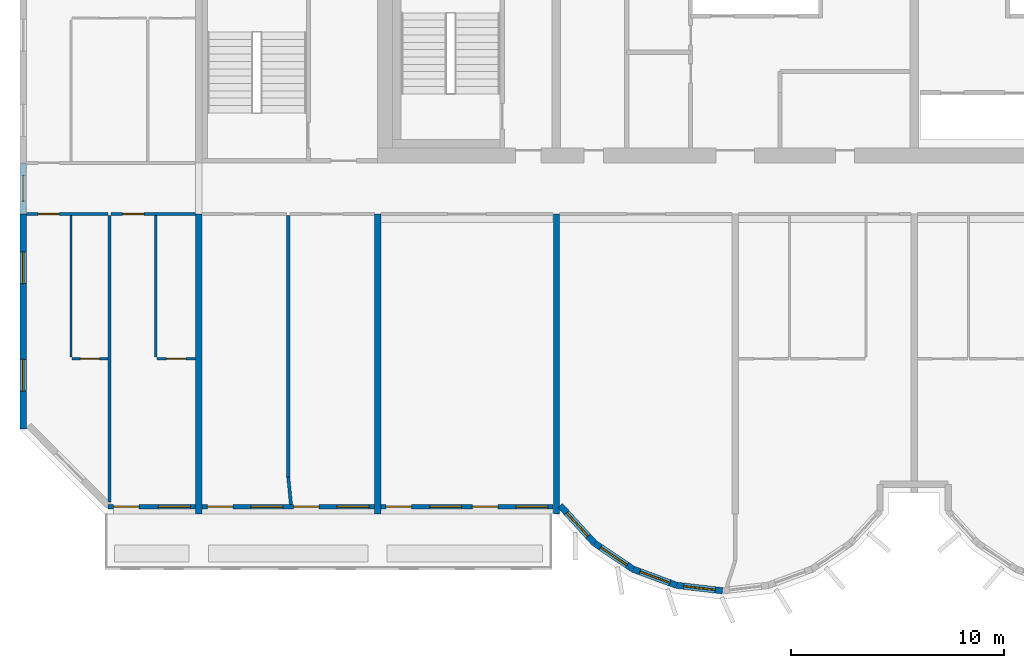
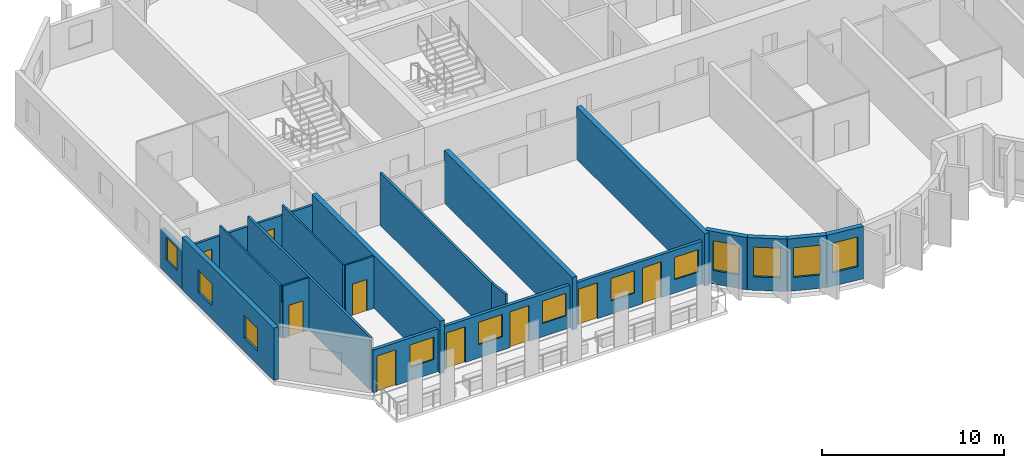
# One storey, part 2 of 13: 21 walls, 12 windows, 9 doors, 21 openings.
"""IFC4 building model written with IfcOpenShell, lengths in metres."""

from ifc_helpers import new_model, si_unit, direction, frame, frame_2d, origin, place, context, subcontext, project, spatial, rectangle, extrude, source, transform, mapped, material, layer, layer_set, type_object, element, fill, save


model = new_model("IFC4")

# Units and contexts
model_context = context("Model", 3, precision=1e-05, world=origin(), true_north=direction((0.0, 1.0)))
body_context = subcontext(model_context, "Body", "Model", "MODEL_VIEW")
ifc_project = project(units=[si_unit("LENGTHUNIT", "METRE"), si_unit("AREAUNIT", "SQUARE_METRE"), si_unit("VOLUMEUNIT", "CUBIC_METRE"), si_unit("PLANEANGLEUNIT", "RADIAN"), si_unit("MASSUNIT", "GRAM", prefix="KILO")], contexts=[model_context])

# Site, building, storey
site_placement = place(None, origin())
site = spatial("IfcSite", under=ifc_project, at=site_placement, CompositionType="ELEMENT")
building_placement = place(site_placement, origin())
building = spatial("IfcBuilding", under=site, at=building_placement, Name="Vanashikhar Sky Hotel", CompositionType="ELEMENT")
storey_placement = place(building_placement, frame((0.0, 0.0, 193.39990234375)))
storey = spatial("IfcBuildingStorey", under=building, at=storey_placement, Name="L47", CompositionType="ELEMENT", Elevation=193.39990234375)

# Wall, openings, windows
ifc_material_1 = material(Name="Concrete M60", Category="concrete")
ifc_layer_1 = layer(ifc_material_1, 0.300048828125)
ifc_layer_set_1 = layer_set([ifc_layer_1], Name="RC shear wall 300 Concrete M60")
wall_type_1 = type_object("IfcWallType", Name="RC shear wall 300 Concrete M60", PredefinedType="SHEAR", material=ifc_layer_set_1)
shared_shape_1 = source(origin(), body_context, "Body", "SweptSolid", [
    extrude(rectangle(XDim=10.10009765625, YDim=0.300048828125, at=frame_2d((5.050048828125, 0.0))), origin(), (0.0, 0.0, 1.0), 3.52001953125),
])
wall_1_placement = place(storey_placement, frame((8.550048828125, 9.5, 0.0), z_axis=(0.0, 0.0, 1.0), x_axis=(0.0, 1.0, 0.0)))
wall_1 = element("IfcWall", 1, at=wall_1_placement, inside=storey, type_object=wall_type_1, Name="CW-L47-XW02-1", PredefinedType="SHEAR", context=body_context, shape_type="MappedRepresentation", body=[
    mapped(shared_shape_1, transform((0.0, 0.0, 0.0), scale=1.0)),
])
shared_shape_2 = source(origin(), body_context, "Body", "SweptSolid", [
    extrude(rectangle(XDim=1.5, YDim=1.5, at=frame_2d((0.75, 0.75))), frame((0.0, 0.16015625, 0.0), z_axis=(0.0, -1.0, 0.0), x_axis=(1.0, 0.0, 0.0)), (0.0, 0.0, 1.0), 0.320068359375),
])
opening_1_placement = place(wall_1_placement, frame((1.77490234375, 0.0, 0.89990234375)))
opening_1 = element("IfcOpeningElement", 2, at=opening_1_placement, cuts=wall_1, Name="Opening WN-1", PredefinedType="OPENING", context=body_context, shape_type="MappedRepresentation", body=[
    mapped(shared_shape_2, transform((0.0, 0.0, 0.0), scale=1.0)),
])
opening_2_placement = place(wall_1_placement, frame((6.824951171875, 0.0, 0.89990234375)))
opening_2 = element("IfcOpeningElement", 3, at=opening_2_placement, cuts=wall_1, Name="Opening WN-1", PredefinedType="OPENING", context=body_context, shape_type="MappedRepresentation", body=[
    mapped(shared_shape_2, transform((0.0, 0.0, 0.0), scale=1.0)),
])
ifc_material_2 = material(Name="Glass", Category="glass")
window_type_1 = type_object("IfcWindowType", Name="Window 1500 x 1500", PartitioningType="SINGLE_PANEL", PredefinedType="WINDOW", material=ifc_material_2)
shared_shape_3 = source(origin(), body_context, "Body", "SweptSolid", [
    extrude(rectangle(XDim=1.5, YDim=1.5, at=frame_2d((0.75, 0.75))), frame((0.0, 0.030029296875, 0.0), z_axis=(0.0, -1.0, 0.0), x_axis=(1.0, 0.0, 0.0)), (0.0, 0.0, 1.0), 0.06005859375),
])
window_1_placement = place(opening_1_placement, origin())
window_1 = element("IfcWindow", 4, at=window_1_placement, inside=storey, type_object=window_type_1, Name="Window WN-1", OverallHeight=1.5, OverallWidth=1.5, PartitioningType="SINGLE_PANEL", PredefinedType="WINDOW", context=body_context, shape_type="MappedRepresentation", body=[
    mapped(shared_shape_3, transform((0.0, 0.0, 0.0), scale=1.0)),
])
fill(opening_1, window_1)
window_2_placement = place(opening_2_placement, origin())
window_2 = element("IfcWindow", 5, at=window_2_placement, inside=storey, type_object=window_type_1, Name="Window WN-1", OverallHeight=1.5, OverallWidth=1.5, PartitioningType="SINGLE_PANEL", PredefinedType="WINDOW", context=body_context, shape_type="MappedRepresentation", body=[
    mapped(shared_shape_3, transform((0.0, 0.0, 0.0), scale=1.0)),
])
fill(opening_2, window_2)

# Walls
shared_shape_4 = source(origin(), body_context, "Body", "SweptSolid", [
    extrude(rectangle(XDim=14.10009765625, YDim=0.300048828125, at=frame_2d((7.050048828125, 0.0))), origin(), (0.0, 0.0, 1.0), 3.52001953125),
])
for number, where, z_axis, x_axis, name in (
    (6, (16.800048828125, 5.5, 0.0), (0.0, 0.0, 1.0), (0.0, 1.0, 0.0), "CW-L47-XW03-1"),
    (7, (25.199951171875, 5.5, 0.0), (0.0, 0.0, 1.0), (0.0, 1.0, 0.0), "CW-L47-XW04-1"),
    (8, (33.60009765625, 5.5, 0.0), (0.0, 0.0, 1.0), (0.0, 1.0, 0.0), "CW-L47-XW05-1"),
):
    element("IfcWall", number, at=place(storey_placement, frame(where, z_axis=z_axis, x_axis=x_axis)), inside=storey, type_object=wall_type_1, Name=name, PredefinedType="SHEAR", context=body_context, shape_type="MappedRepresentation", body=[
        mapped(shared_shape_4, transform((0.0, 0.0, 0.0), scale=1.0)),
    ])

# Wall, opening, window
ifc_material_3 = material(Name="Concrete M50", Category="concrete")
ifc_layer_2 = layer(ifc_material_3, 0.300048828125)
ifc_layer_set_2 = layer_set([ifc_layer_2], Name="Lobe wall 300")
wall_type_2 = type_object("IfcWallType", Name="Lobe wall 300", PredefinedType="SOLIDWALL", material=ifc_layer_set_2)
shared_shape_5 = source(origin(), body_context, "Body", "SweptSolid", [
    extrude(rectangle(XDim=2.398193359375, YDim=0.300048828125, at=frame_2d((1.19921875, 0.0))), origin(), (0.0, 0.0, 1.0), 3.52001953125),
])
wall_2_placement = place(storey_placement, frame((33.776123046875, 5.89990234375, 0.0), z_axis=(0.0, 0.0, 1.0), x_axis=(0.675374189419, -0.737475222815, 0.0)))
wall_2 = element("IfcWall", 9, at=wall_2_placement, inside=storey, type_object=wall_type_2, Name="Lobe wall", PredefinedType="SOLIDWALL", context=body_context, shape_type="MappedRepresentation", body=[
    mapped(shared_shape_5, transform((0.0, 0.0, 0.0), scale=1.0)),
])
shared_shape_6 = source(origin(), body_context, "Body", "SweptSolid", [
    extrude(rectangle(XDim=1.5, YDim=2.0, at=frame_2d((0.75, 1.0))), frame((0.0, 0.16015625, 0.0), z_axis=(0.0, -1.0, 0.0), x_axis=(1.0, 0.0, 0.0)), (0.0, 0.0, 1.0), 0.320068359375),
])
opening_3_placement = place(wall_2_placement, frame((0.44921875, 0.0, 0.89990234375)))
opening_3 = element("IfcOpeningElement", 10, at=opening_3_placement, cuts=wall_2, Name="Opening WN-2", PredefinedType="OPENING", context=body_context, shape_type="MappedRepresentation", body=[
    mapped(shared_shape_6, transform((0.0, 0.0, 0.0), scale=1.0)),
])
window_type_2 = type_object("IfcWindowType", Name="Lobe window 1500 x 2000", PartitioningType="SINGLE_PANEL", PredefinedType="WINDOW", material=ifc_material_2)
shared_shape_7 = source(origin(), body_context, "Body", "SweptSolid", [
    extrude(rectangle(XDim=1.5, YDim=2.0, at=frame_2d((0.75, 1.0))), frame((0.0, 0.030029296875, 0.0), z_axis=(0.0, -1.0, 0.0), x_axis=(1.0, 0.0, 0.0)), (0.0, 0.0, 1.0), 0.06005859375),
])
window_3_placement = place(opening_3_placement, origin())
window_3 = element("IfcWindow", 11, at=window_3_placement, inside=storey, type_object=window_type_2, Name="Window WN-2", OverallHeight=2.0, OverallWidth=1.5, PartitioningType="SINGLE_PANEL", PredefinedType="WINDOW", context=body_context, shape_type="MappedRepresentation", body=[
    mapped(shared_shape_7, transform((0.0, 0.0, 0.0), scale=1.0)),
])
fill(opening_3, window_3)

shared_shape_8 = source(origin(), body_context, "Body", "SweptSolid", [
    extrude(rectangle(XDim=2.17578125, YDim=0.300048828125, at=frame_2d((1.087890625, 0.0))), origin(), (0.0, 0.0, 1.0), 3.52001953125),
])
wall_3_placement = place(storey_placement, frame((35.395751953125, 4.13134765625, 0.0), z_axis=(0.0, 0.0, 1.0), x_axis=(0.829590746428, -0.558371913192, 0.0)))
wall_3 = element("IfcWall", 12, at=wall_3_placement, inside=storey, type_object=wall_type_2, Name="Lobe wall", PredefinedType="SOLIDWALL", context=body_context, shape_type="MappedRepresentation", body=[
    mapped(shared_shape_8, transform((0.0, 0.0, 0.0), scale=1.0)),
])
opening_4_placement = place(wall_3_placement, frame((0.337890625, 0.0, 0.89990234375)))
opening_4 = element("IfcOpeningElement", 13, at=opening_4_placement, cuts=wall_3, Name="Opening WN-2", PredefinedType="OPENING", context=body_context, shape_type="MappedRepresentation", body=[
    mapped(shared_shape_6, transform((0.0, 0.0, 0.0), scale=1.0)),
])
window_4_placement = place(opening_4_placement, origin())
window_4 = element("IfcWindow", 14, at=window_4_placement, inside=storey, type_object=window_type_2, Name="Window WN-2", OverallHeight=2.0, OverallWidth=1.5, PartitioningType="SINGLE_PANEL", PredefinedType="WINDOW", context=body_context, shape_type="MappedRepresentation", body=[
    mapped(shared_shape_7, transform((0.0, 0.0, 0.0), scale=1.0)),
])
fill(opening_4, window_4)

wall_4_placement = place(storey_placement, frame((37.20068359375, 2.91650390625, 0.0), z_axis=(0.0, 0.0, 1.0), x_axis=(0.93754555999, -0.347862505801, 0.0)))
wall_4 = element("IfcWall", 15, at=wall_4_placement, inside=storey, type_object=wall_type_2, Name="Lobe wall", PredefinedType="SOLIDWALL", context=body_context, shape_type="MappedRepresentation", body=[
    mapped(shared_shape_8, transform((0.0, 0.0, 0.0), scale=1.0)),
])
opening_5_placement = place(wall_4_placement, frame((0.337890625, 0.0, 0.89990234375)))
opening_5 = element("IfcOpeningElement", 16, at=opening_5_placement, cuts=wall_4, Name="Opening WN-2", PredefinedType="OPENING", context=body_context, shape_type="MappedRepresentation", body=[
    mapped(shared_shape_6, transform((0.0, 0.0, 0.0), scale=1.0)),
])
window_5_placement = place(opening_5_placement, origin())
window_5 = element("IfcWindow", 17, at=window_5_placement, inside=storey, type_object=window_type_2, Name="Window WN-2", OverallHeight=2.0, OverallWidth=1.5, PartitioningType="SINGLE_PANEL", PredefinedType="WINDOW", context=body_context, shape_type="MappedRepresentation", body=[
    mapped(shared_shape_7, transform((0.0, 0.0, 0.0), scale=1.0)),
])
fill(opening_5, window_5)

shared_shape_9 = source(origin(), body_context, "Body", "SweptSolid", [
    extrude(rectangle(XDim=2.174560546875, YDim=0.300048828125, at=frame_2d((1.08740234375, 0.0))), origin(), (0.0, 0.0, 1.0), 3.52001953125),
])
wall_5_placement = place(storey_placement, frame((39.240478515625, 2.15966796875, 0.0), z_axis=(0.0, 0.0, 1.0), x_axis=(0.993001132889, -0.118104826659, 0.0)))
wall_5 = element("IfcWall", 18, at=wall_5_placement, inside=storey, type_object=wall_type_2, Name="Lobe wall", PredefinedType="SOLIDWALL", context=body_context, shape_type="MappedRepresentation", body=[
    mapped(shared_shape_9, transform((0.0, 0.0, 0.0), scale=1.0)),
])
opening_6_placement = place(wall_5_placement, frame((0.33740234375, 0.0, 0.89990234375)))
opening_6 = element("IfcOpeningElement", 19, at=opening_6_placement, cuts=wall_5, Name="Opening WN-2", PredefinedType="OPENING", context=body_context, shape_type="MappedRepresentation", body=[
    mapped(shared_shape_6, transform((0.0, 0.0, 0.0), scale=1.0)),
])
window_6_placement = place(opening_6_placement, origin())
window_6 = element("IfcWindow", 20, at=window_6_placement, inside=storey, type_object=window_type_2, Name="Window WN-2", OverallHeight=2.0, OverallWidth=1.5, PartitioningType="SINGLE_PANEL", PredefinedType="WINDOW", context=body_context, shape_type="MappedRepresentation", body=[
    mapped(shared_shape_7, transform((0.0, 0.0, 0.0), scale=1.0)),
])
fill(opening_6, window_6)

ifc_layer_3 = layer(ifc_material_3, 0.25)
ifc_layer_set_3 = layer_set([ifc_layer_3], Name="Rear and end board-marked wall 250")
wall_type_3 = type_object("IfcWallType", Name="Rear and end board-marked wall 250", PredefinedType="SOLIDWALL", material=ifc_layer_set_3)
shared_shape_10 = source(origin(), body_context, "Body", "SweptSolid", [
    extrude(rectangle(XDim=2.39990234375, YDim=0.25, at=frame_2d((1.199951171875, 0.0))), origin(), (0.0, 0.0, 1.0), 2.6201171875),
])
wall_6_placement = place(storey_placement, frame((8.550048828125, 19.60009765625, 0.0), z_axis=(0.0, 0.0, 1.0), x_axis=(0.0, 1.0, 0.0)))
wall_6 = element("IfcWall", 21, at=wall_6_placement, inside=storey, type_object=wall_type_3, Name="End corridor infill wall", PredefinedType="SOLIDWALL", context=body_context, shape_type="MappedRepresentation", body=[
    mapped(shared_shape_10, transform((0.0, 0.0, 0.0), scale=1.0)),
])
shared_shape_11 = source(origin(), body_context, "Body", "SweptSolid", [
    extrude(rectangle(XDim=1.199951171875, YDim=1.5, at=frame_2d((0.60009765625, 0.75))), frame((0.0, 0.135009765625, 0.0), z_axis=(0.0, -1.0, 0.0), x_axis=(1.0, 0.0, 0.0)), (0.0, 0.0, 1.0), 0.27001953125),
])
opening_7_placement = place(wall_6_placement, frame((0.60009765625, 0.0, 0.89990234375)))
opening_7 = element("IfcOpeningElement", 22, at=opening_7_placement, cuts=wall_6, Name="Opening WN-3", PredefinedType="OPENING", context=body_context, shape_type="MappedRepresentation", body=[
    mapped(shared_shape_11, transform((0.0, 0.0, 0.0), scale=1.0)),
])
window_type_3 = type_object("IfcWindowType", Name="Corridor end window 1200 x 1500", PartitioningType="SINGLE_PANEL", PredefinedType="WINDOW", material=ifc_material_2)
shared_shape_12 = source(origin(), body_context, "Body", "SweptSolid", [
    extrude(rectangle(XDim=1.199951171875, YDim=1.5, at=frame_2d((0.60009765625, 0.75))), frame((0.0, 0.030029296875, 0.0), z_axis=(0.0, -1.0, 0.0), x_axis=(1.0, 0.0, 0.0)), (0.0, 0.0, 1.0), 0.06005859375),
])
window_7_placement = place(opening_7_placement, origin())
window_7 = element("IfcWindow", 23, at=window_7_placement, inside=storey, type_object=window_type_3, Name="Window WN-3", OverallHeight=1.5, OverallWidth=1.199951171875, PartitioningType="SINGLE_PANEL", PredefinedType="WINDOW", context=body_context, shape_type="MappedRepresentation", body=[
    mapped(shared_shape_12, transform((0.0, 0.0, 0.0), scale=1.0)),
])
fill(opening_7, window_7)

# Wall, openings, window, door
ifc_layer_4 = layer(ifc_material_3, 0.199951171875)
ifc_layer_set_4 = layer_set([ifc_layer_4], Name="Front window wall 200")
wall_type_4 = type_object("IfcWallType", Name="Front window wall 200", PredefinedType="SOLIDWALL", material=ifc_layer_set_4)
shared_shape_13 = source(origin(), body_context, "Body", "SweptSolid", [
    extrude(rectangle(XDim=4.10498046875, YDim=0.199951171875, at=frame_2d((2.052490234375, 0.0))), origin(), (0.0, 0.0, 1.0), 2.8701171875),
])
wall_7_placement = place(storey_placement, frame((12.544921875, 5.85009765625, 0.0), z_axis=(0.0, 0.0, 1.0), x_axis=(1.0, 0.0, 0.0)))
wall_7 = element("IfcWall", 24, at=wall_7_placement, inside=storey, type_object=wall_type_4, Name="Front window wall", PredefinedType="SOLIDWALL", context=body_context, shape_type="MappedRepresentation", body=[
    mapped(shared_shape_13, transform((0.0, 0.0, 0.0), scale=1.0)),
])
shared_shape_14 = source(origin(), body_context, "Body", "SweptSolid", [
    extrude(rectangle(XDim=1.199951171875, YDim=2.39990234375, at=frame_2d((0.60009765625, 1.199951171875))), frame((0.0, 0.10986328125, 0.0), z_axis=(0.0, -1.0, 0.0), x_axis=(1.0, 0.0, 0.0)), (0.0, 0.0, 1.0), 0.219970703125),
])
opening_8_placement = place(wall_7_placement, frame((0.25, 0.0, 0.0)))
opening_8 = element("IfcOpeningElement", 25, at=opening_8_placement, cuts=wall_7, Name="Opening BD-01", PredefinedType="OPENING", context=body_context, shape_type="MappedRepresentation", body=[
    mapped(shared_shape_14, transform((0.0, 0.0, 0.0), scale=1.0)),
])
shared_shape_15 = source(origin(), body_context, "Body", "SweptSolid", [
    extrude(rectangle(XDim=1.5, YDim=1.5, at=frame_2d((0.75, 0.75))), frame((0.0, 0.10986328125, 0.0), z_axis=(0.0, -1.0, 0.0), x_axis=(1.0, 0.0, 0.0)), (0.0, 0.0, 1.0), 0.219970703125),
])
opening_9_placement = place(wall_7_placement, frame((2.35498046875, 0.0, 0.89990234375)))
opening_9 = element("IfcOpeningElement", 26, at=opening_9_placement, cuts=wall_7, Name="Opening WN-1", PredefinedType="OPENING", context=body_context, shape_type="MappedRepresentation", body=[
    mapped(shared_shape_15, transform((0.0, 0.0, 0.0), scale=1.0)),
])
window_8_placement = place(opening_9_placement, origin())
window_8 = element("IfcWindow", 27, at=window_8_placement, inside=storey, type_object=window_type_1, Name="Window WN-1", OverallHeight=1.5, OverallWidth=1.5, PartitioningType="SINGLE_PANEL", PredefinedType="WINDOW", context=body_context, shape_type="MappedRepresentation", body=[
    mapped(shared_shape_3, transform((0.0, 0.0, 0.0), scale=1.0)),
])
fill(opening_9, window_8)
ifc_material_4 = material(Name="Aluminium", Category="aluminium")
door_type_1 = type_object("IfcDoorType", Name="Balcony sliding door 1200 x 2400", OperationType="NOTDEFINED", PredefinedType="DOOR", material=ifc_material_4)
shared_shape_16 = source(origin(), body_context, "Body", "SweptSolid", [
    extrude(rectangle(XDim=1.199951171875, YDim=2.39990234375, at=frame_2d((0.60009765625, 1.199951171875))), frame((0.0, 0.02490234375, 0.0), z_axis=(0.0, -1.0, 0.0), x_axis=(1.0, 0.0, 0.0)), (0.0, 0.0, 1.0), 0.050048828125),
])
door_1_placement = place(opening_8_placement, origin())
door_1 = element("IfcDoor", 28, at=door_1_placement, inside=storey, type_object=door_type_1, Name="Balcony sliding door", OperationType="SLIDING_TO_LEFT", OverallHeight=2.39990234375, OverallWidth=1.199951171875, PredefinedType="DOOR", context=body_context, shape_type="MappedRepresentation", body=[
    mapped(shared_shape_16, transform((0.0, 0.0, 0.0), scale=1.0)),
])
fill(opening_8, door_1)

# Wall, openings, windows, doors
shared_shape_17 = source(origin(), body_context, "Body", "SweptSolid", [
    extrude(rectangle(XDim=8.10009765625, YDim=0.199951171875, at=frame_2d((4.050048828125, 0.0))), origin(), (0.0, 0.0, 1.0), 2.8701171875),
])
wall_8_placement = place(storey_placement, frame((16.949951171875, 5.85009765625, 0.0), z_axis=(0.0, 0.0, 1.0), x_axis=(1.0, 0.0, 0.0)))
wall_8 = element("IfcWall", 29, at=wall_8_placement, inside=storey, type_object=wall_type_4, Name="Front window wall", PredefinedType="SOLIDWALL", context=body_context, shape_type="MappedRepresentation", body=[
    mapped(shared_shape_17, transform((0.0, 0.0, 0.0), scale=1.0)),
])
opening_10_placement = place(wall_8_placement, frame((0.25, 0.0, 0.0)))
opening_10 = element("IfcOpeningElement", 30, at=opening_10_placement, cuts=wall_8, Name="Opening BD-02", PredefinedType="OPENING", context=body_context, shape_type="MappedRepresentation", body=[
    mapped(shared_shape_14, transform((0.0, 0.0, 0.0), scale=1.0)),
])
opening_11_placement = place(wall_8_placement, frame((2.300048828125, 0.0, 0.89990234375)))
opening_11 = element("IfcOpeningElement", 31, at=opening_11_placement, cuts=wall_8, Name="Opening WN-1", PredefinedType="OPENING", context=body_context, shape_type="MappedRepresentation", body=[
    mapped(shared_shape_15, transform((0.0, 0.0, 0.0), scale=1.0)),
])
opening_12_placement = place(wall_8_placement, frame((4.300048828125, 0.0, 0.0)))
opening_12 = element("IfcOpeningElement", 32, at=opening_12_placement, cuts=wall_8, Name="Opening BD-03", PredefinedType="OPENING", context=body_context, shape_type="MappedRepresentation", body=[
    mapped(shared_shape_14, transform((0.0, 0.0, 0.0), scale=1.0)),
])
opening_13_placement = place(wall_8_placement, frame((6.35009765625, 0.0, 0.89990234375)))
opening_13 = element("IfcOpeningElement", 33, at=opening_13_placement, cuts=wall_8, Name="Opening WN-1", PredefinedType="OPENING", context=body_context, shape_type="MappedRepresentation", body=[
    mapped(shared_shape_15, transform((0.0, 0.0, 0.0), scale=1.0)),
])
window_9_placement = place(opening_11_placement, origin())
window_9 = element("IfcWindow", 34, at=window_9_placement, inside=storey, type_object=window_type_1, Name="Window WN-1", OverallHeight=1.5, OverallWidth=1.5, PartitioningType="SINGLE_PANEL", PredefinedType="WINDOW", context=body_context, shape_type="MappedRepresentation", body=[
    mapped(shared_shape_3, transform((0.0, 0.0, 0.0), scale=1.0)),
])
fill(opening_11, window_9)
window_10_placement = place(opening_13_placement, origin())
window_10 = element("IfcWindow", 35, at=window_10_placement, inside=storey, type_object=window_type_1, Name="Window WN-1", OverallHeight=1.5, OverallWidth=1.5, PartitioningType="SINGLE_PANEL", PredefinedType="WINDOW", context=body_context, shape_type="MappedRepresentation", body=[
    mapped(shared_shape_3, transform((0.0, 0.0, 0.0), scale=1.0)),
])
fill(opening_13, window_10)
door_2_placement = place(opening_10_placement, origin())
door_2 = element("IfcDoor", 36, at=door_2_placement, inside=storey, type_object=door_type_1, Name="Balcony sliding door", OperationType="SLIDING_TO_RIGHT", OverallHeight=2.39990234375, OverallWidth=1.199951171875, PredefinedType="DOOR", context=body_context, shape_type="MappedRepresentation", body=[
    mapped(shared_shape_16, transform((0.0, 0.0, 0.0), scale=1.0)),
])
fill(opening_10, door_2)
door_3_placement = place(opening_12_placement, origin())
door_3 = element("IfcDoor", 37, at=door_3_placement, inside=storey, type_object=door_type_1, Name="Balcony sliding door", OperationType="SLIDING_TO_LEFT", OverallHeight=2.39990234375, OverallWidth=1.199951171875, PredefinedType="DOOR", context=body_context, shape_type="MappedRepresentation", body=[
    mapped(shared_shape_16, transform((0.0, 0.0, 0.0), scale=1.0)),
])
fill(opening_12, door_3)

shared_shape_18 = source(origin(), body_context, "Body", "SweptSolid", [
    extrude(rectangle(XDim=8.099853515625, YDim=0.199951171875, at=frame_2d((4.0498046875, 0.0))), origin(), (0.0, 0.0, 1.0), 2.8701171875),
])
wall_9_placement = place(storey_placement, frame((25.35009765625, 5.85009765625, 0.0), z_axis=(0.0, 0.0, 1.0), x_axis=(1.0, 0.0, 0.0)))
wall_9 = element("IfcWall", 38, at=wall_9_placement, inside=storey, type_object=wall_type_4, Name="Front window wall", PredefinedType="SOLIDWALL", context=body_context, shape_type="MappedRepresentation", body=[
    mapped(shared_shape_18, transform((0.0, 0.0, 0.0), scale=1.0)),
])
opening_14_placement = place(wall_9_placement, frame((0.25, 0.0, 0.0)))
opening_14 = element("IfcOpeningElement", 39, at=opening_14_placement, cuts=wall_9, Name="Opening BD-04", PredefinedType="OPENING", context=body_context, shape_type="MappedRepresentation", body=[
    mapped(shared_shape_14, transform((0.0, 0.0, 0.0), scale=1.0)),
])
opening_15_placement = place(wall_9_placement, frame((2.300048828125, 0.0, 0.89990234375)))
opening_15 = element("IfcOpeningElement", 40, at=opening_15_placement, cuts=wall_9, Name="Opening WN-1", PredefinedType="OPENING", context=body_context, shape_type="MappedRepresentation", body=[
    mapped(shared_shape_15, transform((0.0, 0.0, 0.0), scale=1.0)),
])
opening_16_placement = place(wall_9_placement, frame((4.300048828125, 0.0, 0.0)))
opening_16 = element("IfcOpeningElement", 41, at=opening_16_placement, cuts=wall_9, Name="Opening BD-05", PredefinedType="OPENING", context=body_context, shape_type="MappedRepresentation", body=[
    mapped(shared_shape_14, transform((0.0, 0.0, 0.0), scale=1.0)),
])
opening_17_placement = place(wall_9_placement, frame((6.35009765625, 0.0, 0.89990234375)))
opening_17 = element("IfcOpeningElement", 42, at=opening_17_placement, cuts=wall_9, Name="Opening WN-1", PredefinedType="OPENING", context=body_context, shape_type="MappedRepresentation", body=[
    mapped(shared_shape_15, transform((0.0, 0.0, 0.0), scale=1.0)),
])
window_11_placement = place(opening_15_placement, origin())
window_11 = element("IfcWindow", 43, at=window_11_placement, inside=storey, type_object=window_type_1, Name="Window WN-1", OverallHeight=1.5, OverallWidth=1.5, PartitioningType="SINGLE_PANEL", PredefinedType="WINDOW", context=body_context, shape_type="MappedRepresentation", body=[
    mapped(shared_shape_3, transform((0.0, 0.0, 0.0), scale=1.0)),
])
fill(opening_15, window_11)
window_12_placement = place(opening_17_placement, origin())
window_12 = element("IfcWindow", 44, at=window_12_placement, inside=storey, type_object=window_type_1, Name="Window WN-1", OverallHeight=1.5, OverallWidth=1.5, PartitioningType="SINGLE_PANEL", PredefinedType="WINDOW", context=body_context, shape_type="MappedRepresentation", body=[
    mapped(shared_shape_3, transform((0.0, 0.0, 0.0), scale=1.0)),
])
fill(opening_17, window_12)
door_4_placement = place(opening_14_placement, origin())
door_4 = element("IfcDoor", 45, at=door_4_placement, inside=storey, type_object=door_type_1, Name="Balcony sliding door", OperationType="SLIDING_TO_RIGHT", OverallHeight=2.39990234375, OverallWidth=1.199951171875, PredefinedType="DOOR", context=body_context, shape_type="MappedRepresentation", body=[
    mapped(shared_shape_16, transform((0.0, 0.0, 0.0), scale=1.0)),
])
fill(opening_14, door_4)
door_5_placement = place(opening_16_placement, origin())
door_5 = element("IfcDoor", 46, at=door_5_placement, inside=storey, type_object=door_type_1, Name="Balcony sliding door", OperationType="SLIDING_TO_LEFT", OverallHeight=2.39990234375, OverallWidth=1.199951171875, PredefinedType="DOOR", context=body_context, shape_type="MappedRepresentation", body=[
    mapped(shared_shape_16, transform((0.0, 0.0, 0.0), scale=1.0)),
])
fill(opening_16, door_5)

# Wall, opening, door
ifc_material_5 = material(Name="Gypsum plasterboard partition")
ifc_layer_5 = layer(ifc_material_5, 0.10009765625)
ifc_layer_set_5 = layer_set([ifc_layer_5], Name="Wet room partition 100")
wall_type_5 = type_object("IfcWallType", Name="Wet room partition 100", PredefinedType="PARTITIONING", material=ifc_layer_set_5)
shared_shape_19 = source(origin(), body_context, "Body", "SweptSolid", [
    extrude(rectangle(XDim=1.824951171875, YDim=0.10009765625, at=frame_2d((0.91259765625, 0.0))), origin(), (0.0, 0.0, 1.0), 3.52001953125),
])
wall_10_placement = place(storey_placement, frame((14.824951171875, 12.800048828125, 0.0), z_axis=(0.0, 0.0, 1.0), x_axis=(1.0, 0.0, 0.0)))
wall_10 = element("IfcWall", 47, at=wall_10_placement, inside=storey, type_object=wall_type_5, Name="W-L47-PW005", PredefinedType="PARTITIONING", context=body_context, shape_type="MappedRepresentation", body=[
    mapped(shared_shape_19, transform((0.0, 0.0, 0.0), scale=1.0)),
])
shared_shape_20 = source(origin(), body_context, "Body", "SweptSolid", [
    extrude(rectangle(XDim=0.89990234375, YDim=2.10009765625, at=frame_2d((0.449951171875, 1.050048828125))), frame((0.0, 0.06005859375, 0.0), z_axis=(0.0, -1.0, 0.0), x_axis=(1.0, 0.0, 0.0)), (0.0, 0.0, 1.0), 0.1201171875),
])
opening_18_placement = place(wall_10_placement, frame((0.462890625, 0.0, 0.0)))
opening_18 = element("IfcOpeningElement", 48, at=opening_18_placement, cuts=wall_10, Name="Opening D-02", PredefinedType="OPENING", context=body_context, shape_type="MappedRepresentation", body=[
    mapped(shared_shape_20, transform((0.0, 0.0, 0.0), scale=1.0)),
])
ifc_material_6 = material(Name="Timber door", Category="wood")
door_type_2 = type_object("IfcDoorType", Name="Internal door 900", OperationType="NOTDEFINED", PredefinedType="DOOR", material=ifc_material_6)
shared_shape_21 = source(origin(), body_context, "Body", "SweptSolid", [
    extrude(rectangle(XDim=0.89990234375, YDim=2.10009765625, at=frame_2d((0.449951171875, 1.050048828125))), frame((0.0, 0.02490234375, 0.0), z_axis=(0.0, -1.0, 0.0), x_axis=(1.0, 0.0, 0.0)), (0.0, 0.0, 1.0), 0.050048828125),
])
door_6_placement = place(opening_18_placement, origin())
door_6 = element("IfcDoor", 49, at=door_6_placement, inside=storey, type_object=door_type_2, Name="D-L47-003", OperationType="SINGLE_SWING_LEFT", OverallHeight=2.10009765625, OverallWidth=0.89990234375, PredefinedType="DOOR", context=body_context, shape_type="MappedRepresentation", body=[
    mapped(shared_shape_21, transform((0.0, 0.0, 0.0), scale=1.0)),
])
fill(opening_18, door_6)

# Walls
shared_shape_22 = source(origin(), body_context, "Body", "SweptSolid", [
    extrude(rectangle(XDim=6.64990234375, YDim=0.10009765625, at=frame_2d((3.324951171875, 0.0))), origin(), (0.0, 0.0, 1.0), 3.52001953125),
])
for number, where, z_axis, x_axis, name in (
    (50, (10.800048828125, 12.875, 0.0), (0.0, 0.0, 1.0), (0.0, 1.0, 0.0), "W-L47-PW001"),
    (51, (14.77490234375, 12.875, 0.0), (0.0, 0.0, 1.0), (0.0, 1.0, 0.0), "W-L47-PW004"),
):
    element("IfcWall", number, at=place(storey_placement, frame(where, z_axis=z_axis, x_axis=x_axis)), inside=storey, type_object=wall_type_5, Name=name, PredefinedType="PARTITIONING", context=body_context, shape_type="MappedRepresentation", body=[
        mapped(shared_shape_22, transform((0.0, 0.0, 0.0), scale=1.0)),
    ])
ifc_layer_6 = layer(ifc_material_5, 0.14990234375)
ifc_layer_set_6 = layer_set([ifc_layer_6], Name="Corridor and demising partition 150")
wall_type_6 = type_object("IfcWallType", Name="Corridor and demising partition 150", PredefinedType="PARTITIONING", material=ifc_layer_set_6)
shared_shape_23 = source(origin(), body_context, "Body", "SweptSolid", [
    extrude(rectangle(XDim=13.447021484375, YDim=0.14990234375, at=frame_2d((6.7236328125, 0.0))), origin(), (0.0, 0.0, 1.0), 3.52001953125),
])
wall_11_placement = place(storey_placement, frame((12.60009765625, 6.077880859375, 0.0), z_axis=(0.0, 0.0, 1.0), x_axis=(0.0, 1.0, 0.0)))
element("IfcWall", 52, at=wall_11_placement, inside=storey, type_object=wall_type_6, Name="W-L47-PW007", PredefinedType="PARTITIONING", context=body_context, shape_type="MappedRepresentation", body=[
    mapped(shared_shape_23, transform((0.0, 0.0, 0.0), scale=1.0)),
])
shared_shape_24 = source(origin(), body_context, "Body", "SweptSolid", [
    extrude(rectangle(XDim=12.27490234375, YDim=0.14990234375, at=frame_2d((6.137451171875, 0.0))), origin(), (0.0, 0.0, 1.0), 3.52001953125),
])
wall_12_placement = place(storey_placement, frame((21.0, 7.25, 0.0), z_axis=(0.0, 0.0, 1.0), x_axis=(0.0, 1.0, 0.0)))
element("IfcWall", 53, at=wall_12_placement, inside=storey, type_object=wall_type_6, Name="W-L47-PW010", PredefinedType="PARTITIONING", context=body_context, shape_type="MappedRepresentation", body=[
    mapped(shared_shape_24, transform((0.0, 0.0, 0.0), scale=1.0)),
])
shared_shape_25 = source(origin(), body_context, "Body", "SweptSolid", [
    extrude(rectangle(XDim=1.306640625, YDim=0.14990234375, at=frame_2d((0.6533203125, 0.0))), origin(), (0.0, 0.0, 1.0), 3.52001953125),
])
wall_13_placement = place(storey_placement, frame((21.1298828125, 5.949951171875, 0.0), z_axis=(0.0, 0.0, 1.0), x_axis=(-0.099411212066, 0.995046436562, 0.0)))
element("IfcWall", 54, at=wall_13_placement, inside=storey, type_object=wall_type_6, Name="W-L47-PW010B0", PredefinedType="PARTITIONING", context=body_context, shape_type="MappedRepresentation", body=[
    mapped(shared_shape_25, transform((0.0, 0.0, 0.0), scale=1.0)),
])

# Wall, opening, door
shared_shape_26 = source(origin(), body_context, "Body", "SweptSolid", [
    extrude(rectangle(XDim=3.974853515625, YDim=0.14990234375, at=frame_2d((1.9873046875, 0.0))), origin(), (0.0, 0.0, 1.0), 2.820068359375),
])
wall_14_placement = place(storey_placement, frame((12.675048828125, 19.60009765625, 0.0), z_axis=(0.0, 0.0, 1.0), x_axis=(1.0, 0.0, 0.0)))
wall_14 = element("IfcWall", 55, at=wall_14_placement, inside=storey, type_object=wall_type_6, Name="W-L47-PW006", PredefinedType="PARTITIONING", context=body_context, shape_type="MappedRepresentation", body=[
    mapped(shared_shape_26, transform((0.0, 0.0, 0.0), scale=1.0)),
])
shared_shape_27 = source(origin(), body_context, "Body", "SweptSolid", [
    extrude(rectangle(XDim=1.0, YDim=2.10009765625, at=frame_2d((0.5, 1.050048828125))), frame((0.0, 0.0849609375, 0.0), z_axis=(0.0, -1.0, 0.0), x_axis=(1.0, 0.0, 0.0)), (0.0, 0.0, 1.0), 0.169921875),
])
opening_19_placement = place(wall_14_placement, frame((0.550048828125, 0.0, 0.0)))
opening_19 = element("IfcOpeningElement", 56, at=opening_19_placement, cuts=wall_14, Name="Opening D-01", PredefinedType="OPENING", context=body_context, shape_type="MappedRepresentation", body=[
    mapped(shared_shape_27, transform((0.0, 0.0, 0.0), scale=1.0)),
])
ifc_material_7 = material(Name="Timber fire door", Category="wood")
door_type_3 = type_object("IfcDoorType", Name="Guest entry door 1000 FD30S", OperationType="NOTDEFINED", PredefinedType="DOOR", material=ifc_material_7)
shared_shape_28 = source(origin(), body_context, "Body", "SweptSolid", [
    extrude(rectangle(XDim=1.0, YDim=2.10009765625, at=frame_2d((0.5, 1.050048828125))), frame((0.0, 0.02490234375, 0.0), z_axis=(0.0, -1.0, 0.0), x_axis=(1.0, 0.0, 0.0)), (0.0, 0.0, 1.0), 0.050048828125),
])
door_7_placement = place(opening_19_placement, origin())
door_7 = element("IfcDoor", 57, at=door_7_placement, inside=storey, type_object=door_type_3, Name="D-L47-004", OperationType="SINGLE_SWING_LEFT", OverallHeight=2.10009765625, OverallWidth=1.0, PredefinedType="DOOR", context=body_context, shape_type="MappedRepresentation", body=[
    mapped(shared_shape_28, transform((0.0, 0.0, 0.0), scale=1.0)),
])
fill(opening_19, door_7)

shared_shape_29 = source(origin(), body_context, "Body", "SweptSolid", [
    extrude(rectangle(XDim=3.824951171875, YDim=0.14990234375, at=frame_2d((1.91259765625, 0.0))), origin(), (0.0, 0.0, 1.0), 2.820068359375),
])
wall_15_placement = place(storey_placement, frame((8.699951171875, 19.60009765625, 0.0), z_axis=(0.0, 0.0, 1.0), x_axis=(1.0, 0.0, 0.0)))
wall_15 = element("IfcWall", 58, at=wall_15_placement, inside=storey, type_object=wall_type_6, Name="W-L47-PW003", PredefinedType="PARTITIONING", context=body_context, shape_type="MappedRepresentation", body=[
    mapped(shared_shape_29, transform((0.0, 0.0, 0.0), scale=1.0)),
])
opening_20_placement = place(wall_15_placement, frame((0.550048828125, 0.0, 0.0)))
opening_20 = element("IfcOpeningElement", 59, at=opening_20_placement, cuts=wall_15, Name="Opening D-01", PredefinedType="OPENING", context=body_context, shape_type="MappedRepresentation", body=[
    mapped(shared_shape_27, transform((0.0, 0.0, 0.0), scale=1.0)),
])
door_8_placement = place(opening_20_placement, origin())
door_8 = element("IfcDoor", 60, at=door_8_placement, inside=storey, type_object=door_type_3, Name="D-L47-002", OperationType="SINGLE_SWING_LEFT", OverallHeight=2.10009765625, OverallWidth=1.0, PredefinedType="DOOR", context=body_context, shape_type="MappedRepresentation", body=[
    mapped(shared_shape_28, transform((0.0, 0.0, 0.0), scale=1.0)),
])
fill(opening_20, door_8)

shared_shape_30 = source(origin(), body_context, "Body", "SweptSolid", [
    extrude(rectangle(XDim=1.6748046875, YDim=0.10009765625, at=frame_2d((0.83740234375, 0.0))), origin(), (0.0, 0.0, 1.0), 3.52001953125),
])
wall_16_placement = place(storey_placement, frame((10.85009765625, 12.800048828125, 0.0), z_axis=(0.0, 0.0, 1.0), x_axis=(1.0, 0.0, 0.0)))
wall_16 = element("IfcWall", 61, at=wall_16_placement, inside=storey, type_object=wall_type_5, Name="W-L47-PW002", PredefinedType="PARTITIONING", context=body_context, shape_type="MappedRepresentation", body=[
    mapped(shared_shape_30, transform((0.0, 0.0, 0.0), scale=1.0)),
])
opening_21_placement = place(wall_16_placement, frame((0.387939453125, 0.0, 0.0)))
opening_21 = element("IfcOpeningElement", 62, at=opening_21_placement, cuts=wall_16, Name="Opening D-02", PredefinedType="OPENING", context=body_context, shape_type="MappedRepresentation", body=[
    mapped(shared_shape_20, transform((0.0, 0.0, 0.0), scale=1.0)),
])
door_9_placement = place(opening_21_placement, origin())
door_9 = element("IfcDoor", 63, at=door_9_placement, inside=storey, type_object=door_type_2, Name="D-L47-001", OperationType="SINGLE_SWING_LEFT", OverallHeight=2.10009765625, OverallWidth=0.89990234375, PredefinedType="DOOR", context=body_context, shape_type="MappedRepresentation", body=[
    mapped(shared_shape_21, transform((0.0, 0.0, 0.0), scale=1.0)),
])
fill(opening_21, door_9)

save(model, "model.ifc")
